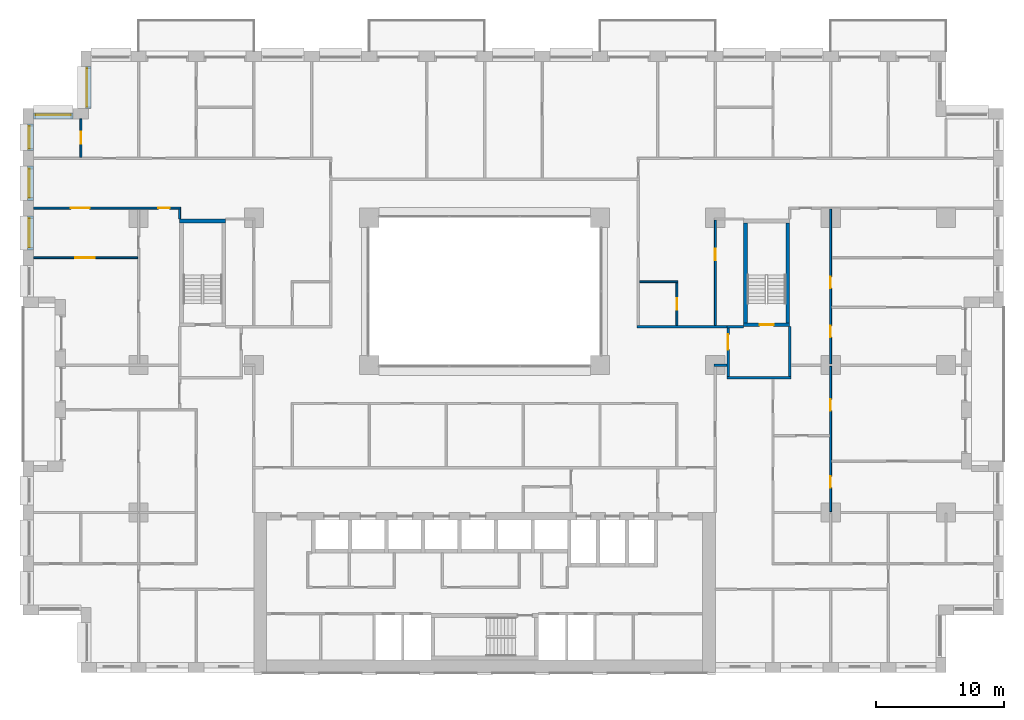
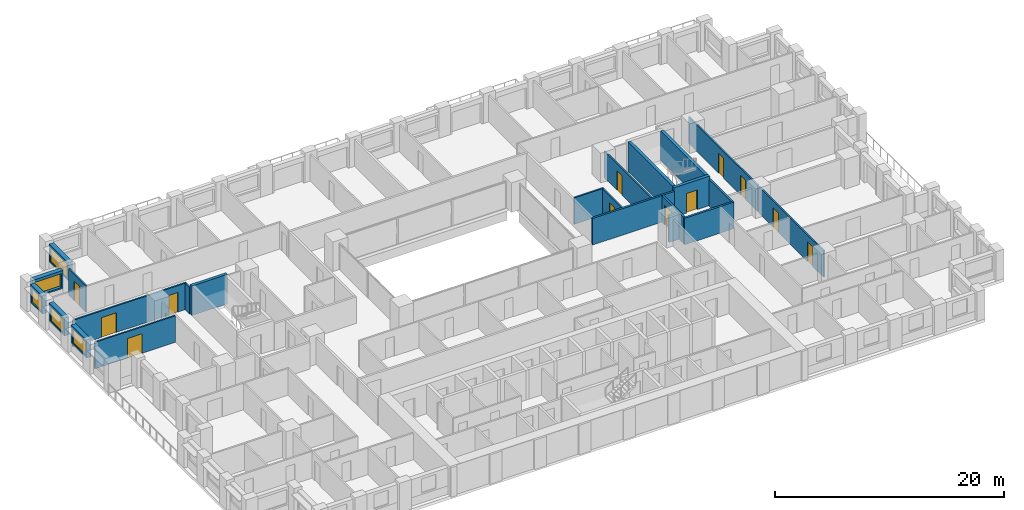
# One storey, part 13 of 19: 24 walls, 12 doors, 5 windows, 17 openings.
"""IFC4 building model written with IfcOpenShell, lengths in metres."""

from ifc_helpers import new_model, si_unit, direction, frame, frame_2d, origin, place, context, subcontext, project, spatial, rectangle, extrude, material, layer, layer_set, type_object, element, fill, save


model = new_model("IFC4")

# Units and contexts
model_context = context("Model", 3, precision=1e-05, world=origin(), true_north=direction((0.0, 1.0)))
body_context = subcontext(model_context, "Body", "Model", "MODEL_VIEW")
ifc_project = project(units=[si_unit("LENGTHUNIT", "METRE"), si_unit("AREAUNIT", "SQUARE_METRE"), si_unit("VOLUMEUNIT", "CUBIC_METRE"), si_unit("PLANEANGLEUNIT", "RADIAN"), si_unit("MASSUNIT", "GRAM", prefix="KILO")], contexts=[model_context])

# Site, building, storey
site_placement = place(None, origin())
site = spatial("IfcSite", under=ifc_project, at=site_placement, CompositionType="ELEMENT")
building_placement = place(site_placement, origin())
building = spatial("IfcBuilding", under=site, at=building_placement, Name="Brigalow Station Residences", CompositionType="ELEMENT")
storey_placement = place(building_placement, frame((0.0, 0.0, 22.64990234375)))
storey = spatial("IfcBuildingStorey", under=building, at=storey_placement, Name="L05", CompositionType="ELEMENT", Elevation=22.64990234375)

# Wall, opening, window
ifc_material_1 = material(Name="Clay brick masonry", Category="masonry")
ifc_layer_1 = layer(ifc_material_1, 0.449951171875)
ifc_layer_set_1 = layer_set([ifc_layer_1], Name="BRICK INFILL WALL 450")
wall_type_1 = type_object("IfcWallType", Name="BRICK INFILL WALL 450", PredefinedType="SOLIDWALL", material=ifc_layer_set_1)
wall_1_placement = place(storey_placement, frame((5.074951171875, 47.300048828125, 0.900146484375), z_axis=(0.0, 0.0, 1.0), x_axis=(0.0, -1.0, 0.0)))
wall_1 = element("IfcWall", 1, at=wall_1_placement, inside=storey, type_object=wall_type_1, Name="L05/ewall/W-L05-40", PredefinedType="SOLIDWALL", context=body_context, shape_type="SweptSolid", body=[
    extrude(rectangle(XDim=3.300048828125, YDim=0.449951171875, at=frame_2d((1.64990234375, 0.0))), origin(), (0.0, 0.0, 1.0), 1.929931640625),
])
opening_1_placement = place(wall_1_placement, frame((0.14990234375, 0.0, 0.14990234375)))
opening_1 = element("IfcOpeningElement", 2, at=opening_1_placement, cuts=wall_1, Name="Opening WT-2", PredefinedType="OPENING", context=body_context, shape_type="SweptSolid", body=[
    extrude(rectangle(XDim=3.0, YDim=1.5, at=frame_2d((1.5, 0.75))), frame((0.0, 0.23486328125, 0.0), z_axis=(0.0, -1.0, 0.0), x_axis=(1.0, 0.0, 0.0)), (0.0, 0.0, 1.0), 0.469970703125),
])
ifc_material_2 = material(Name="Anodised aluminium frame with double glazing", Category="aluminium")
window_type_1 = type_object("IfcWindowType", Name="WINDOW 3000x1500", PartitioningType="SINGLE_PANEL", PredefinedType="WINDOW", material=ifc_material_2)
window_1_placement = place(opening_1_placement, origin())
window_1 = element("IfcWindow", 3, at=window_1_placement, inside=storey, type_object=window_type_1, Name="L05/window/W-L05-40", OverallHeight=1.5, OverallWidth=3.0, PartitioningType="SINGLE_PANEL", PredefinedType="WINDOW", context=body_context, shape_type="SweptSolid", body=[
    extrude(rectangle(XDim=3.0, YDim=1.5, at=frame_2d((1.5, 0.75))), frame((0.0, -0.06494140625, 0.0), z_axis=(0.0, -1.0, 0.0), x_axis=(1.0, 0.0, 0.0)), (0.0, 0.0, 1.0), 0.06005859375),
])
fill(opening_1, window_1)

wall_2_placement = place(storey_placement, frame((3.89990234375, 43.425048828125, 0.900146484375), z_axis=(0.0, 0.0, 1.0), x_axis=(-1.0, 0.0, 0.0)))
wall_2 = element("IfcWall", 4, at=wall_2_placement, inside=storey, type_object=wall_type_1, Name="L05/ewall/W-L05-41", PredefinedType="SOLIDWALL", context=body_context, shape_type="SweptSolid", body=[
    extrude(rectangle(XDim=3.099853515625, YDim=0.449951171875, at=frame_2d((1.5498046875, 0.0))), origin(), (0.0, 0.0, 1.0), 1.929931640625),
])
opening_2_placement = place(wall_2_placement, frame((0.175048828125, 0.0, 0.14990234375)))
opening_2 = element("IfcOpeningElement", 5, at=opening_2_placement, cuts=wall_2, Name="Opening WT-3", PredefinedType="OPENING", context=body_context, shape_type="SweptSolid", body=[
    extrude(rectangle(XDim=2.75, YDim=1.5, at=frame_2d((1.375, 0.75))), frame((0.0, 0.23486328125, 0.0), z_axis=(0.0, -1.0, 0.0), x_axis=(1.0, 0.0, 0.0)), (0.0, 0.0, 1.0), 0.469970703125),
])
ifc_material_3 = material(Name="Anodised aluminium frame with double glazing", Category="aluminium")
window_type_2 = type_object("IfcWindowType", Name="WINDOW 2750x1500", PartitioningType="SINGLE_PANEL", PredefinedType="WINDOW", material=ifc_material_3)
window_2_placement = place(opening_2_placement, origin())
window_2 = element("IfcWindow", 6, at=window_2_placement, inside=storey, type_object=window_type_2, Name="L05/window/W-L05-41", OverallHeight=1.5, OverallWidth=2.75, PartitioningType="SINGLE_PANEL", PredefinedType="WINDOW", context=body_context, shape_type="SweptSolid", body=[
    extrude(rectangle(XDim=2.75, YDim=1.5, at=frame_2d((1.375, 0.75))), frame((0.0, -0.06494140625, 0.0), z_axis=(0.0, -1.0, 0.0), x_axis=(1.0, 0.0, 0.0)), (0.0, 0.0, 1.0), 0.06005859375),
])
fill(opening_2, window_2)

wall_3_placement = place(storey_placement, frame((0.574951171875, 42.800048828125, 0.900146484375), z_axis=(0.0, 0.0, 1.0), x_axis=(0.0, -1.0, 0.0)))
wall_3 = element("IfcWall", 7, at=wall_3_placement, inside=storey, type_object=wall_type_1, Name="L05/ewall/W-L05-42", PredefinedType="SOLIDWALL", context=body_context, shape_type="SweptSolid", body=[
    extrude(rectangle(XDim=2.074951171875, YDim=0.449951171875, at=frame_2d((1.03759765625, 0.0))), origin(), (0.0, 0.0, 1.0), 1.929931640625),
])
opening_3_placement = place(wall_3_placement, frame((0.16259765625, 0.0, 0.14990234375)))
opening_3 = element("IfcOpeningElement", 8, at=opening_3_placement, cuts=wall_3, Name="Opening WT-4", PredefinedType="OPENING", context=body_context, shape_type="SweptSolid", body=[
    extrude(rectangle(XDim=1.75, YDim=1.5, at=frame_2d((0.875, 0.75))), frame((0.0, 0.23486328125, 0.0), z_axis=(0.0, -1.0, 0.0), x_axis=(1.0, 0.0, 0.0)), (0.0, 0.0, 1.0), 0.469970703125),
])
ifc_material_4 = material(Name="Anodised aluminium frame with double glazing", Category="aluminium")
window_type_3 = type_object("IfcWindowType", Name="WINDOW 1750x1500", PartitioningType="SINGLE_PANEL", PredefinedType="WINDOW", material=ifc_material_4)
window_3_placement = place(opening_3_placement, origin())
window_3 = element("IfcWindow", 9, at=window_3_placement, inside=storey, type_object=window_type_3, Name="L05/window/W-L05-42", OverallHeight=1.5, OverallWidth=1.75, PartitioningType="SINGLE_PANEL", PredefinedType="WINDOW", context=body_context, shape_type="SweptSolid", body=[
    extrude(rectangle(XDim=1.75, YDim=1.5, at=frame_2d((0.875, 0.75))), frame((0.0, -0.06494140625, 0.0), z_axis=(0.0, -1.0, 0.0), x_axis=(1.0, 0.0, 0.0)), (0.0, 0.0, 1.0), 0.06005859375),
])
fill(opening_3, window_3)

wall_4_placement = place(storey_placement, frame((0.574951171875, 39.52490234375, 0.900146484375), z_axis=(0.0, 0.0, 1.0), x_axis=(0.0, -1.0, 0.0)))
wall_4 = element("IfcWall", 10, at=wall_4_placement, inside=storey, type_object=wall_type_1, Name="L05/ewall/W-L05-43", PredefinedType="SOLIDWALL", context=body_context, shape_type="SweptSolid", body=[
    extrude(rectangle(XDim=2.6748046875, YDim=0.449951171875, at=frame_2d((1.33740234375, 0.0))), origin(), (0.0, 0.0, 1.0), 1.929931640625),
])
opening_4_placement = place(wall_4_placement, frame((0.21240234375, 0.0, 0.14990234375)))
opening_4 = element("IfcOpeningElement", 11, at=opening_4_placement, cuts=wall_4, Name="Opening WT-6", PredefinedType="OPENING", context=body_context, shape_type="SweptSolid", body=[
    extrude(rectangle(XDim=2.25, YDim=1.5, at=frame_2d((1.125, 0.75))), frame((0.0, 0.23486328125, 0.0), z_axis=(0.0, -1.0, 0.0), x_axis=(1.0, 0.0, 0.0)), (0.0, 0.0, 1.0), 0.469970703125),
])
ifc_material_5 = material(Name="Anodised aluminium frame with double glazing", Category="aluminium")
window_type_4 = type_object("IfcWindowType", Name="WINDOW 2250x1500", PartitioningType="SINGLE_PANEL", PredefinedType="WINDOW", material=ifc_material_5)
window_4_placement = place(opening_4_placement, origin())
window_4 = element("IfcWindow", 12, at=window_4_placement, inside=storey, type_object=window_type_4, Name="L05/window/W-L05-43", OverallHeight=1.5, OverallWidth=2.25, PartitioningType="SINGLE_PANEL", PredefinedType="WINDOW", context=body_context, shape_type="SweptSolid", body=[
    extrude(rectangle(XDim=2.25, YDim=1.5, at=frame_2d((1.125, 0.75))), frame((0.0, -0.06494140625, 0.0), z_axis=(0.0, -1.0, 0.0), x_axis=(1.0, 0.0, 0.0)), (0.0, 0.0, 1.0), 0.06005859375),
])
fill(opening_4, window_4)

wall_5_placement = place(storey_placement, frame((0.574951171875, 35.64990234375, 0.900146484375), z_axis=(0.0, 0.0, 1.0), x_axis=(0.0, -1.0, 0.0)))
wall_5 = element("IfcWall", 13, at=wall_5_placement, inside=storey, type_object=wall_type_1, Name="L05/ewall/W-L05-44", PredefinedType="SOLIDWALL", context=body_context, shape_type="SweptSolid", body=[
    extrude(rectangle(XDim=2.6748046875, YDim=0.449951171875, at=frame_2d((1.33740234375, 0.0))), origin(), (0.0, 0.0, 1.0), 1.929931640625),
])
opening_5_placement = place(wall_5_placement, frame((0.21240234375, 0.0, 0.14990234375)))
opening_5 = element("IfcOpeningElement", 14, at=opening_5_placement, cuts=wall_5, Name="Opening WT-6", PredefinedType="OPENING", context=body_context, shape_type="SweptSolid", body=[
    extrude(rectangle(XDim=2.25, YDim=1.5, at=frame_2d((1.125, 0.75))), frame((0.0, 0.23486328125, 0.0), z_axis=(0.0, -1.0, 0.0), x_axis=(1.0, 0.0, 0.0)), (0.0, 0.0, 1.0), 0.469970703125),
])
window_5_placement = place(opening_5_placement, origin())
window_5 = element("IfcWindow", 15, at=window_5_placement, inside=storey, type_object=window_type_4, Name="L05/window/W-L05-44", OverallHeight=1.5, OverallWidth=2.25, PartitioningType="SINGLE_PANEL", PredefinedType="WINDOW", context=body_context, shape_type="SweptSolid", body=[
    extrude(rectangle(XDim=2.25, YDim=1.5, at=frame_2d((1.125, 0.75))), frame((0.0, -0.06494140625, 0.0), z_axis=(0.0, -1.0, 0.0), x_axis=(1.0, 0.0, 0.0)), (0.0, 0.0, 1.0), 0.06005859375),
])
fill(opening_5, window_5)

# Wall
ifc_material_6 = material(Name="Concrete C80", Category="concrete")
ifc_layer_2 = layer(ifc_material_6, 0.300048828125)
ifc_layer_set_2 = layer_set([ifc_layer_2], Name="CORE SHEAR WALL 300 C80")
wall_type_2 = type_object("IfcWallType", Name="CORE SHEAR WALL 300 C80", PredefinedType="SHEAR", material=ifc_layer_set_2)
wall_6_placement = place(storey_placement, frame((12.199951171875, 35.25, 0.0), z_axis=(0.0, 0.0, 1.0), x_axis=(1.0, 0.0, 0.0)))
element("IfcWall", 16, at=wall_6_placement, inside=storey, type_object=wall_type_2, Name="CORE WALL ST-S1-N L05", PredefinedType="SHEAR", context=body_context, shape_type="SweptSolid", body=[
    extrude(rectangle(XDim=3.60009765625, YDim=0.300048828125, at=frame_2d((1.800048828125, 0.0))), origin(), (0.0, 0.0, 1.0), 3.150146484375),
])

# Wall, opening, door
wall_7_placement = place(storey_placement, frame((56.199951171875, 27.14990234375, 0.0), z_axis=(0.0, 0.0, 1.0), x_axis=(1.0, 0.0, 0.0)))
wall_7 = element("IfcWall", 17, at=wall_7_placement, inside=storey, type_object=wall_type_2, Name="CORE WALL ST-S3-S L05", PredefinedType="SHEAR", context=body_context, shape_type="SweptSolid", body=[
    extrude(rectangle(XDim=3.60009765625, YDim=0.300048828125, at=frame_2d((1.800048828125, 0.0))), origin(), (0.0, 0.0, 1.0), 3.150146484375),
])
opening_6_placement = place(wall_7_placement, frame((1.25, 0.0, 0.0)))
opening_6 = element("IfcOpeningElement", 18, at=opening_6_placement, cuts=wall_7, Name="Opening D-5018", PredefinedType="OPENING", context=body_context, shape_type="SweptSolid", body=[
    extrude(rectangle(XDim=1.10009765625, YDim=2.10009765625, at=frame_2d((0.550048828125, 1.050048828125))), frame((0.0, 0.16015625, 0.0), z_axis=(0.0, -1.0, 0.0), x_axis=(1.0, 0.0, 0.0)), (0.0, 0.0, 1.0), 0.320068359375),
])
ifc_material_7 = material(Name="Steel fire door leaf in steel frame", Category="steel")
door_type_1 = type_object("IfcDoorType", Name="STAIR DOOR 1100 x 2100 FD60S", OperationType="SINGLE_SWING_LEFT", PredefinedType="DOOR", material=ifc_material_7)
door_1_placement = place(opening_6_placement, origin())
door_1 = element("IfcDoor", 19, at=door_1_placement, inside=storey, type_object=door_type_1, Name="D-5018", OperationType="SINGLE_SWING_LEFT", OverallHeight=2.10009765625, OverallWidth=1.10009765625, PredefinedType="DOOR", context=body_context, shape_type="SweptSolid", body=[
    extrude(rectangle(XDim=1.10009765625, YDim=2.10009765625, at=frame_2d((0.550048828125, 1.050048828125))), frame((0.0, 0.02490234375, 0.0), z_axis=(0.0, -1.0, 0.0), x_axis=(1.0, 0.0, 0.0)), (0.0, 0.0, 1.0), 0.050048828125),
])
fill(opening_6, door_1)

# Walls
for number, where, z_axis, x_axis, name in (
    (20, (56.35009765625, 27.300048828125, 0.0), (0.0, 0.0, 1.0), (0.0, 1.0, 0.0), "CORE WALL ST-S3-W L05"),
    (21, (59.64990234375, 27.300048828125, 0.0), (0.0, 0.0, 1.0), (0.0, 1.0, 0.0), "CORE WALL ST-S3-E L05"),
):
    element("IfcWall", number, at=place(storey_placement, frame(where, z_axis=z_axis, x_axis=x_axis)), inside=storey, type_object=wall_type_2, Name=name, PredefinedType="SHEAR", context=body_context, shape_type="SweptSolid", body=[
        extrude(rectangle(XDim=7.800048828125, YDim=0.300048828125, at=frame_2d((3.89990234375, 0.0))), origin(), (0.0, 0.0, 1.0), 3.150146484375),
    ])
ifc_material_8 = material(Name="Concrete blockwork", Category="masonry")
ifc_layer_3 = layer(ifc_material_8, 0.199951171875)
ifc_layer_set_3 = layer_set([ifc_layer_3], Name="FIRE RATED CORE PARTITION 200")
wall_type_3 = type_object("IfcWallType", Name="FIRE RATED CORE PARTITION 200", PredefinedType="PARTITIONING", material=ifc_layer_set_3)
wall_8_placement = place(storey_placement, frame((54.89990234375, 23.0, 0.0), z_axis=(0.0, 0.0, 1.0), x_axis=(1.0, 0.0, 0.0)))
element("IfcWall", 22, at=wall_8_placement, inside=storey, type_object=wall_type_3, Name="PW-5024", PredefinedType="PARTITIONING", context=body_context, shape_type="SweptSolid", body=[
    extrude(rectangle(XDim=5.0, YDim=0.199951171875, at=frame_2d((2.5, 0.0))), origin(), (0.0, 0.0, 1.0), 2.830078125),
])
wall_9_placement = place(storey_placement, frame((54.89990234375, 27.0, 0.0), z_axis=(0.0, 0.0, 1.0), x_axis=(1.0, 0.0, 0.0)))
element("IfcWall", 23, at=wall_9_placement, inside=storey, type_object=wall_type_3, Name="PW-5026", PredefinedType="PARTITIONING", context=body_context, shape_type="SweptSolid", body=[
    extrude(rectangle(XDim=1.300048828125, YDim=0.199951171875, at=frame_2d((0.64990234375, 0.0))), origin(), (0.0, 0.0, 1.0), 2.830078125),
])

# Wall, opening, door
wall_10_placement = place(storey_placement, frame((55.0, 23.10009765625, 0.0), z_axis=(0.0, 0.0, 1.0), x_axis=(0.0, 1.0, 0.0)))
wall_10 = element("IfcWall", 24, at=wall_10_placement, inside=storey, type_object=wall_type_3, Name="PW-5036", PredefinedType="PARTITIONING", context=body_context, shape_type="SweptSolid", body=[
    extrude(rectangle(XDim=3.7998046875, YDim=0.199951171875, at=frame_2d((1.89990234375, 0.0))), origin(), (0.0, 0.0, 1.0), 2.830078125),
])
opening_7_placement = place(wall_10_placement, frame((2.10009765625, 0.0, 0.0)))
opening_7 = element("IfcOpeningElement", 25, at=opening_7_placement, cuts=wall_10, Name="Opening D-5019", PredefinedType="OPENING", context=body_context, shape_type="SweptSolid", body=[
    extrude(rectangle(XDim=1.199951171875, YDim=2.10009765625, at=frame_2d((0.60009765625, 1.050048828125))), frame((0.0, 0.10986328125, 0.0), z_axis=(0.0, -1.0, 0.0), x_axis=(1.0, 0.0, 0.0)), (0.0, 0.0, 1.0), 0.219970703125),
])
ifc_material_9 = material(Name="Steel fire door leaf in steel frame", Category="steel")
door_type_2 = type_object("IfcDoorType", Name="STAIR LOBBY DOOR 1200 x 2100 FD60S", OperationType="SINGLE_SWING_LEFT", PredefinedType="DOOR", material=ifc_material_9)
door_2_placement = place(opening_7_placement, frame((1.199951171875, 0.0, 0.0), z_axis=(0.0, 0.0, 1.0), x_axis=(-1.0, 0.0, 0.0)))
door_2 = element("IfcDoor", 26, at=door_2_placement, inside=storey, type_object=door_type_2, Name="D-5019", OperationType="SINGLE_SWING_LEFT", OverallHeight=2.10009765625, OverallWidth=1.199951171875, PredefinedType="DOOR", context=body_context, shape_type="SweptSolid", body=[
    extrude(rectangle(XDim=1.199951171875, YDim=2.10009765625, at=frame_2d((0.60009765625, 1.050048828125))), frame((0.0, 0.02490234375, 0.0), z_axis=(0.0, -1.0, 0.0), x_axis=(1.0, 0.0, 0.0)), (0.0, 0.0, 1.0), 0.050048828125),
])
fill(opening_7, door_2)

# Wall
wall_11_placement = place(storey_placement, frame((59.800048828125, 23.10009765625, 0.0), z_axis=(0.0, 0.0, 1.0), x_axis=(0.0, 1.0, 0.0)))
element("IfcWall", 27, at=wall_11_placement, inside=storey, type_object=wall_type_3, Name="PW-5037", PredefinedType="PARTITIONING", context=body_context, shape_type="SweptSolid", body=[
    extrude(rectangle(XDim=3.89990234375, YDim=0.199951171875, at=frame_2d((1.949951171875, 0.0))), origin(), (0.0, 0.0, 1.0), 2.830078125),
])

# Wall, opening, door
ifc_material_10 = material(Name="Plasterboard on steel stud partition", Category="steel")
ifc_layer_4 = layer(ifc_material_10, 0.14990234375)
ifc_layer_set_4 = layer_set([ifc_layer_4], Name="FLAT PARTITION 150")
wall_type_4 = type_object("IfcWallType", Name="FLAT PARTITION 150", PredefinedType="PARTITIONING", material=ifc_layer_set_4)
wall_12_placement = place(storey_placement, frame((0.800048828125, 32.375, 0.0), z_axis=(0.0, 0.0, 1.0), x_axis=(1.0, 0.0, 0.0)))
wall_12 = element("IfcWall", 28, at=wall_12_placement, inside=storey, type_object=wall_type_4, Name="PW-1A16", PredefinedType="PARTITIONING", context=body_context, shape_type="SweptSolid", body=[
    extrude(rectangle(XDim=8.125, YDim=0.14990234375, at=frame_2d((4.0625, 0.0))), origin(), (0.0, 0.0, 1.0), 2.830078125),
])
opening_8_placement = place(wall_12_placement, frame((3.27490234375, 0.0, 0.0)))
opening_8 = element("IfcOpeningElement", 29, at=opening_8_placement, cuts=wall_12, Name="Opening D-1A15", PredefinedType="OPENING", context=body_context, shape_type="SweptSolid", body=[
    extrude(rectangle(XDim=1.5, YDim=2.10009765625, at=frame_2d((0.75, 1.050048828125))), frame((0.0, 0.0849609375, 0.0), z_axis=(0.0, -1.0, 0.0), x_axis=(1.0, 0.0, 0.0)), (0.0, 0.0, 1.0), 0.169921875),
])
ifc_material_11 = material(Name="Solid-core timber door leaf", Category="wood")
door_type_3 = type_object("IfcDoorType", Name="INTERNAL DOUBLE DOOR 1500 x 2100", OperationType="DOUBLE_DOOR_SINGLE_SWING", PredefinedType="DOOR", material=ifc_material_11)
door_3_placement = place(opening_8_placement, origin())
door_3 = element("IfcDoor", 30, at=door_3_placement, inside=storey, type_object=door_type_3, Name="D-1A15", OperationType="DOUBLE_DOOR_SINGLE_SWING", OverallHeight=2.10009765625, OverallWidth=1.5, PredefinedType="DOOR", context=body_context, shape_type="SweptSolid", body=[
    extrude(rectangle(XDim=1.5, YDim=2.10009765625, at=frame_2d((0.75, 1.050048828125))), frame((0.0, 0.02490234375, 0.0), z_axis=(0.0, -1.0, 0.0), x_axis=(1.0, 0.0, 0.0)), (0.0, 0.0, 1.0), 0.050048828125),
])
fill(opening_8, door_3)

# Wall, openings, doors
wall_13_placement = place(storey_placement, frame((0.800048828125, 36.25, 0.0), z_axis=(0.0, 0.0, 1.0), x_axis=(1.0, 0.0, 0.0)))
wall_13 = element("IfcWall", 31, at=wall_13_placement, inside=storey, type_object=wall_type_4, Name="PW-1A18", PredefinedType="PARTITIONING", context=body_context, shape_type="SweptSolid", body=[
    extrude(rectangle(XDim=11.474853515625, YDim=0.14990234375, at=frame_2d((5.7373046875, 0.0))), origin(), (0.0, 0.0, 1.0), 2.830078125),
])
opening_9_placement = place(wall_13_placement, frame((2.89990234375, 0.0, 0.0)))
opening_9 = element("IfcOpeningElement", 32, at=opening_9_placement, cuts=wall_13, Name="Opening D-1A14", PredefinedType="OPENING", context=body_context, shape_type="SweptSolid", body=[
    extrude(rectangle(XDim=1.5, YDim=2.10009765625, at=frame_2d((0.75, 1.050048828125))), frame((0.0, 0.0849609375, 0.0), z_axis=(0.0, -1.0, 0.0), x_axis=(1.0, 0.0, 0.0)), (0.0, 0.0, 1.0), 0.169921875),
])
opening_10_placement = place(wall_13_placement, frame((9.72509765625, 0.0, 0.0)))
opening_10 = element("IfcOpeningElement", 33, at=opening_10_placement, cuts=wall_13, Name="Opening D-1A18", PredefinedType="OPENING", context=body_context, shape_type="SweptSolid", body=[
    extrude(rectangle(XDim=0.89990234375, YDim=2.10009765625, at=frame_2d((0.449951171875, 1.050048828125))), frame((0.0, 0.0849609375, 0.0), z_axis=(0.0, -1.0, 0.0), x_axis=(1.0, 0.0, 0.0)), (0.0, 0.0, 1.0), 0.169921875),
])
ifc_material_12 = material(Name="Solid-core timber door leaf", Category="wood")
door_type_4 = type_object("IfcDoorType", Name="INTERNAL DOOR 900 x 2100", OperationType="SINGLE_SWING_LEFT", PredefinedType="DOOR", material=ifc_material_12)
door_4_placement = place(opening_10_placement, frame((0.89990234375, 0.0, 0.0), z_axis=(0.0, 0.0, 1.0), x_axis=(-1.0, 0.0, 0.0)))
door_4 = element("IfcDoor", 34, at=door_4_placement, inside=storey, type_object=door_type_4, Name="D-1A18", OperationType="SINGLE_SWING_LEFT", OverallHeight=2.10009765625, OverallWidth=0.89990234375, PredefinedType="DOOR", context=body_context, shape_type="SweptSolid", body=[
    extrude(rectangle(XDim=0.89990234375, YDim=2.10009765625, at=frame_2d((0.449951171875, 1.050048828125))), frame((0.0, 0.02490234375, 0.0), z_axis=(0.0, -1.0, 0.0), x_axis=(1.0, 0.0, 0.0)), (0.0, 0.0, 1.0), 0.050048828125),
])
fill(opening_10, door_4)
door_5_placement = place(opening_9_placement, frame((1.5, 0.0, 0.0), z_axis=(0.0, 0.0, 1.0), x_axis=(-1.0, 0.0, 0.0)))
door_5 = element("IfcDoor", 35, at=door_5_placement, inside=storey, type_object=door_type_3, Name="D-1A14", OperationType="DOUBLE_DOOR_SINGLE_SWING", OverallHeight=2.10009765625, OverallWidth=1.5, PredefinedType="DOOR", context=body_context, shape_type="SweptSolid", body=[
    extrude(rectangle(XDim=1.5, YDim=2.10009765625, at=frame_2d((0.75, 1.050048828125))), frame((0.0, 0.02490234375, 0.0), z_axis=(0.0, -1.0, 0.0), x_axis=(1.0, 0.0, 0.0)), (0.0, 0.0, 1.0), 0.050048828125),
])
fill(opening_9, door_5)

# Wall
wall_14_placement = place(storey_placement, frame((48.10009765625, 30.5, 0.0), z_axis=(0.0, 0.0, 1.0), x_axis=(1.0, 0.0, 0.0)))
element("IfcWall", 36, at=wall_14_placement, inside=storey, type_object=wall_type_4, Name="PW-1A25", PredefinedType="PARTITIONING", context=body_context, shape_type="SweptSolid", body=[
    extrude(rectangle(XDim=2.974853515625, YDim=0.14990234375, at=frame_2d((1.4873046875, 0.0))), origin(), (0.0, 0.0, 1.0), 2.830078125),
])

# Wall, opening, door
wall_15_placement = place(storey_placement, frame((54.0, 27.10009765625, 0.0), z_axis=(0.0, 0.0, 1.0), x_axis=(0.0, 1.0, 0.0)))
wall_15 = element("IfcWall", 37, at=wall_15_placement, inside=storey, type_object=wall_type_4, Name="PW-1A35", PredefinedType="PARTITIONING", context=body_context, shape_type="SweptSolid", body=[
    extrude(rectangle(XDim=8.224853515625, YDim=0.14990234375, at=frame_2d((4.1123046875, 0.0))), origin(), (0.0, 0.0, 1.0), 2.830078125),
])
opening_11_placement = place(wall_15_placement, frame((5.074951171875, 0.0, 0.0)))
opening_11 = element("IfcOpeningElement", 38, at=opening_11_placement, cuts=wall_15, Name="Opening D-1A51", PredefinedType="OPENING", context=body_context, shape_type="SweptSolid", body=[
    extrude(rectangle(XDim=0.89990234375, YDim=2.10009765625, at=frame_2d((0.449951171875, 1.050048828125))), frame((0.0, 0.0849609375, 0.0), z_axis=(0.0, -1.0, 0.0), x_axis=(1.0, 0.0, 0.0)), (0.0, 0.0, 1.0), 0.169921875),
])
door_6_placement = place(opening_11_placement, frame((0.89990234375, 0.0, 0.0), z_axis=(0.0, 0.0, 1.0), x_axis=(-1.0, 0.0, 0.0)))
door_6 = element("IfcDoor", 39, at=door_6_placement, inside=storey, type_object=door_type_4, Name="D-1A51", OperationType="SINGLE_SWING_LEFT", OverallHeight=2.10009765625, OverallWidth=0.89990234375, PredefinedType="DOOR", context=body_context, shape_type="SweptSolid", body=[
    extrude(rectangle(XDim=0.89990234375, YDim=2.10009765625, at=frame_2d((0.449951171875, 1.050048828125))), frame((0.0, 0.02490234375, 0.0), z_axis=(0.0, -1.0, 0.0), x_axis=(1.0, 0.0, 0.0)), (0.0, 0.0, 1.0), 0.050048828125),
])
fill(opening_11, door_6)

wall_16_placement = place(storey_placement, frame((51.0, 27.10009765625, 0.0), z_axis=(0.0, 0.0, 1.0), x_axis=(0.0, 1.0, 0.0)))
wall_16 = element("IfcWall", 40, at=wall_16_placement, inside=storey, type_object=wall_type_4, Name="PW-1A41", PredefinedType="PARTITIONING", context=body_context, shape_type="SweptSolid", body=[
    extrude(rectangle(XDim=3.324951171875, YDim=0.14990234375, at=frame_2d((1.66259765625, 0.0))), origin(), (0.0, 0.0, 1.0), 2.830078125),
])
opening_12_placement = place(wall_16_placement, frame((1.199951171875, 0.0, 0.0)))
opening_12 = element("IfcOpeningElement", 41, at=opening_12_placement, cuts=wall_16, Name="Opening D-1A52", PredefinedType="OPENING", context=body_context, shape_type="SweptSolid", body=[
    extrude(rectangle(XDim=0.89990234375, YDim=2.10009765625, at=frame_2d((0.449951171875, 1.050048828125))), frame((0.0, 0.0849609375, 0.0), z_axis=(0.0, -1.0, 0.0), x_axis=(1.0, 0.0, 0.0)), (0.0, 0.0, 1.0), 0.169921875),
])
door_7_placement = place(opening_12_placement, origin())
door_7 = element("IfcDoor", 42, at=door_7_placement, inside=storey, type_object=door_type_4, Name="D-1A52", OperationType="SINGLE_SWING_LEFT", OverallHeight=2.10009765625, OverallWidth=0.89990234375, PredefinedType="DOOR", context=body_context, shape_type="SweptSolid", body=[
    extrude(rectangle(XDim=0.89990234375, YDim=2.10009765625, at=frame_2d((0.449951171875, 1.050048828125))), frame((0.0, 0.02490234375, 0.0), z_axis=(0.0, -1.0, 0.0), x_axis=(1.0, 0.0, 0.0)), (0.0, 0.0, 1.0), 0.050048828125),
])
fill(opening_12, door_7)

wall_17_placement = place(storey_placement, frame((4.5, 40.199951171875, 0.0), z_axis=(0.0, 0.0, 1.0), x_axis=(0.0, 1.0, 0.0)))
wall_17 = element("IfcWall", 43, at=wall_17_placement, inside=storey, type_object=wall_type_4, Name="PW-1A52", PredefinedType="PARTITIONING", context=body_context, shape_type="SweptSolid", body=[
    extrude(rectangle(XDim=3.0, YDim=0.14990234375, at=frame_2d((1.5, 0.0))), origin(), (0.0, 0.0, 1.0), 2.830078125),
])
opening_13_placement = place(wall_17_placement, frame((1.0869140625, 0.0, 0.0)))
opening_13 = element("IfcOpeningElement", 44, at=opening_13_placement, cuts=wall_17, Name="Opening D-1A22", PredefinedType="OPENING", context=body_context, shape_type="SweptSolid", body=[
    extrude(rectangle(XDim=0.89990234375, YDim=2.10009765625, at=frame_2d((0.449951171875, 1.050048828125))), frame((0.0, 0.0849609375, 0.0), z_axis=(0.0, -1.0, 0.0), x_axis=(1.0, 0.0, 0.0)), (0.0, 0.0, 1.0), 0.169921875),
])
door_8_placement = place(opening_13_placement, origin())
door_8 = element("IfcDoor", 45, at=door_8_placement, inside=storey, type_object=door_type_4, Name="D-1A22", OperationType="SINGLE_SWING_RIGHT", OverallHeight=2.10009765625, OverallWidth=0.89990234375, PredefinedType="DOOR", context=body_context, shape_type="SweptSolid", body=[
    extrude(rectangle(XDim=0.89990234375, YDim=2.10009765625, at=frame_2d((0.449951171875, 1.050048828125))), frame((0.0, 0.02490234375, 0.0), z_axis=(0.0, -1.0, 0.0), x_axis=(1.0, 0.0, 0.0)), (0.0, 0.0, 1.0), 0.050048828125),
])
fill(opening_13, door_8)

# Wall
wall_18_placement = place(storey_placement, frame((12.199951171875, 35.39990234375, 0.0), z_axis=(0.0, 0.0, 1.0), x_axis=(0.0, 1.0, 0.0)))
element("IfcWall", 46, at=wall_18_placement, inside=storey, type_object=wall_type_4, Name="PW-1A57", PredefinedType="PARTITIONING", context=body_context, shape_type="SweptSolid", body=[
    extrude(rectangle(XDim=0.775146484375, YDim=0.14990234375, at=frame_2d((0.3876953125, 0.0))), origin(), (0.0, 0.0, 1.0), 2.830078125),
])

# Wall, openings, doors
wall_19_placement = place(storey_placement, frame((63.0, 12.574951171875, 0.0), z_axis=(0.0, 0.0, 1.0), x_axis=(0.0, 1.0, 0.0)))
wall_19 = element("IfcWall", 47, at=wall_19_placement, inside=storey, type_object=wall_type_4, Name="PW-1A66", PredefinedType="PARTITIONING", context=body_context, shape_type="SweptSolid", body=[
    extrude(rectangle(XDim=11.324951171875, YDim=0.14990234375, at=frame_2d((5.66259765625, 0.0))), origin(), (0.0, 0.0, 1.0), 2.830078125),
])
opening_14_placement = place(wall_19_placement, frame((1.85009765625, 0.0, 0.0)))
opening_14 = element("IfcOpeningElement", 48, at=opening_14_placement, cuts=wall_19, Name="Opening D-1A41", PredefinedType="OPENING", context=body_context, shape_type="SweptSolid", body=[
    extrude(rectangle(XDim=0.89990234375, YDim=2.10009765625, at=frame_2d((0.449951171875, 1.050048828125))), frame((0.0, 0.0849609375, 0.0), z_axis=(0.0, -1.0, 0.0), x_axis=(1.0, 0.0, 0.0)), (0.0, 0.0, 1.0), 0.169921875),
])
opening_15_placement = place(wall_19_placement, frame((7.85009765625, 0.0, 0.0)))
opening_15 = element("IfcOpeningElement", 49, at=opening_15_placement, cuts=wall_19, Name="Opening D-1A42", PredefinedType="OPENING", context=body_context, shape_type="SweptSolid", body=[
    extrude(rectangle(XDim=0.89990234375, YDim=2.10009765625, at=frame_2d((0.449951171875, 1.050048828125))), frame((0.0, 0.0849609375, 0.0), z_axis=(0.0, -1.0, 0.0), x_axis=(1.0, 0.0, 0.0)), (0.0, 0.0, 1.0), 0.169921875),
])
door_9_placement = place(opening_14_placement, origin())
door_9 = element("IfcDoor", 50, at=door_9_placement, inside=storey, type_object=door_type_4, Name="D-1A41", OperationType="SINGLE_SWING_LEFT", OverallHeight=2.10009765625, OverallWidth=0.89990234375, PredefinedType="DOOR", context=body_context, shape_type="SweptSolid", body=[
    extrude(rectangle(XDim=0.89990234375, YDim=2.10009765625, at=frame_2d((0.449951171875, 1.050048828125))), frame((0.0, 0.02490234375, 0.0), z_axis=(0.0, -1.0, 0.0), x_axis=(1.0, 0.0, 0.0)), (0.0, 0.0, 1.0), 0.050048828125),
])
fill(opening_14, door_9)
door_10_placement = place(opening_15_placement, origin())
door_10 = element("IfcDoor", 51, at=door_10_placement, inside=storey, type_object=door_type_4, Name="D-1A42", OperationType="SINGLE_SWING_LEFT", OverallHeight=2.10009765625, OverallWidth=0.89990234375, PredefinedType="DOOR", context=body_context, shape_type="SweptSolid", body=[
    extrude(rectangle(XDim=0.89990234375, YDim=2.10009765625, at=frame_2d((0.449951171875, 1.050048828125))), frame((0.0, 0.02490234375, 0.0), z_axis=(0.0, -1.0, 0.0), x_axis=(1.0, 0.0, 0.0)), (0.0, 0.0, 1.0), 0.050048828125),
])
fill(opening_15, door_10)

wall_20_placement = place(storey_placement, frame((63.0, 24.10009765625, 0.0), z_axis=(0.0, 0.0, 1.0), x_axis=(0.0, 1.0, 0.0)))
wall_20 = element("IfcWall", 52, at=wall_20_placement, inside=storey, type_object=wall_type_4, Name="PW-1A67", PredefinedType="PARTITIONING", context=body_context, shape_type="SweptSolid", body=[
    extrude(rectangle(XDim=12.074951171875, YDim=0.14990234375, at=frame_2d((6.03759765625, 0.0))), origin(), (0.0, 0.0, 1.0), 2.830078125),
])
opening_16_placement = place(wall_20_placement, frame((5.887939453125, 0.0, 0.0)))
opening_16 = element("IfcOpeningElement", 53, at=opening_16_placement, cuts=wall_20, Name="Opening D-1A48", PredefinedType="OPENING", context=body_context, shape_type="SweptSolid", body=[
    extrude(rectangle(XDim=0.89990234375, YDim=2.10009765625, at=frame_2d((0.449951171875, 1.050048828125))), frame((0.0, 0.0849609375, 0.0), z_axis=(0.0, -1.0, 0.0), x_axis=(1.0, 0.0, 0.0)), (0.0, 0.0, 1.0), 0.169921875),
])
opening_17_placement = place(wall_20_placement, frame((2.074951171875, 0.0, 0.0)))
opening_17 = element("IfcOpeningElement", 54, at=opening_17_placement, cuts=wall_20, Name="Opening D-1A49", PredefinedType="OPENING", context=body_context, shape_type="SweptSolid", body=[
    extrude(rectangle(XDim=0.89990234375, YDim=2.10009765625, at=frame_2d((0.449951171875, 1.050048828125))), frame((0.0, 0.0849609375, 0.0), z_axis=(0.0, -1.0, 0.0), x_axis=(1.0, 0.0, 0.0)), (0.0, 0.0, 1.0), 0.169921875),
])
door_11_placement = place(opening_16_placement, origin())
door_11 = element("IfcDoor", 55, at=door_11_placement, inside=storey, type_object=door_type_4, Name="D-1A48", OperationType="SINGLE_SWING_RIGHT", OverallHeight=2.10009765625, OverallWidth=0.89990234375, PredefinedType="DOOR", context=body_context, shape_type="SweptSolid", body=[
    extrude(rectangle(XDim=0.89990234375, YDim=2.10009765625, at=frame_2d((0.449951171875, 1.050048828125))), frame((0.0, 0.02490234375, 0.0), z_axis=(0.0, -1.0, 0.0), x_axis=(1.0, 0.0, 0.0)), (0.0, 0.0, 1.0), 0.050048828125),
])
fill(opening_16, door_11)
door_12_placement = place(opening_17_placement, origin())
door_12 = element("IfcDoor", 56, at=door_12_placement, inside=storey, type_object=door_type_4, Name="D-1A49", OperationType="SINGLE_SWING_LEFT", OverallHeight=2.10009765625, OverallWidth=0.89990234375, PredefinedType="DOOR", context=body_context, shape_type="SweptSolid", body=[
    extrude(rectangle(XDim=0.89990234375, YDim=2.10009765625, at=frame_2d((0.449951171875, 1.050048828125))), frame((0.0, 0.02490234375, 0.0), z_axis=(0.0, -1.0, 0.0), x_axis=(1.0, 0.0, 0.0)), (0.0, 0.0, 1.0), 0.050048828125),
])
fill(opening_17, door_12)

# Walls
ifc_material_13 = material(Name="Plasterboard on steel stud partition", Category="steel")
ifc_layer_5 = layer(ifc_material_13, 0.199951171875)
ifc_layer_set_5 = layer_set([ifc_layer_5], Name="PARTY AND CORRIDOR WALL 200")
wall_type_5 = type_object("IfcWallType", Name="PARTY AND CORRIDOR WALL 200", PredefinedType="PARTITIONING", material=ifc_layer_set_5)
wall_21_placement = place(storey_placement, frame((53.89990234375, 24.0, 0.0), z_axis=(0.0, 0.0, 1.0), x_axis=(1.0, 0.0, 0.0)))
element("IfcWall", 57, at=wall_21_placement, inside=storey, type_object=wall_type_5, Name="PW-1A04", PredefinedType="PARTITIONING", context=body_context, shape_type="SweptSolid", body=[
    extrude(rectangle(XDim=1.0, YDim=0.199951171875, at=frame_2d((0.5, 0.0))), origin(), (0.0, 0.0, 1.0), 2.830078125),
])
wall_22_placement = place(storey_placement, frame((47.89990234375, 27.0, 0.0), z_axis=(0.0, 0.0, 1.0), x_axis=(1.0, 0.0, 0.0)))
element("IfcWall", 58, at=wall_22_placement, inside=storey, type_object=wall_type_5, Name="PW-1A07", PredefinedType="PARTITIONING", context=body_context, shape_type="SweptSolid", body=[
    extrude(rectangle(XDim=7.0, YDim=0.199951171875, at=frame_2d((3.5, 0.0))), origin(), (0.0, 0.0, 1.0), 2.830078125),
])

save(model, "model.ifc")
